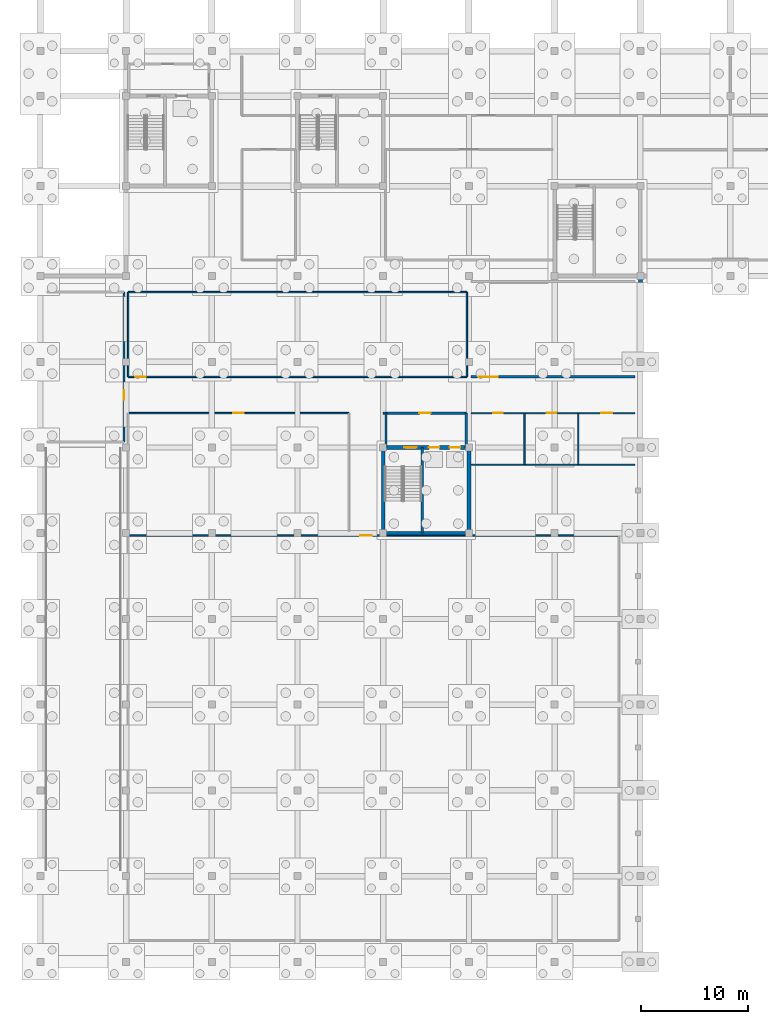
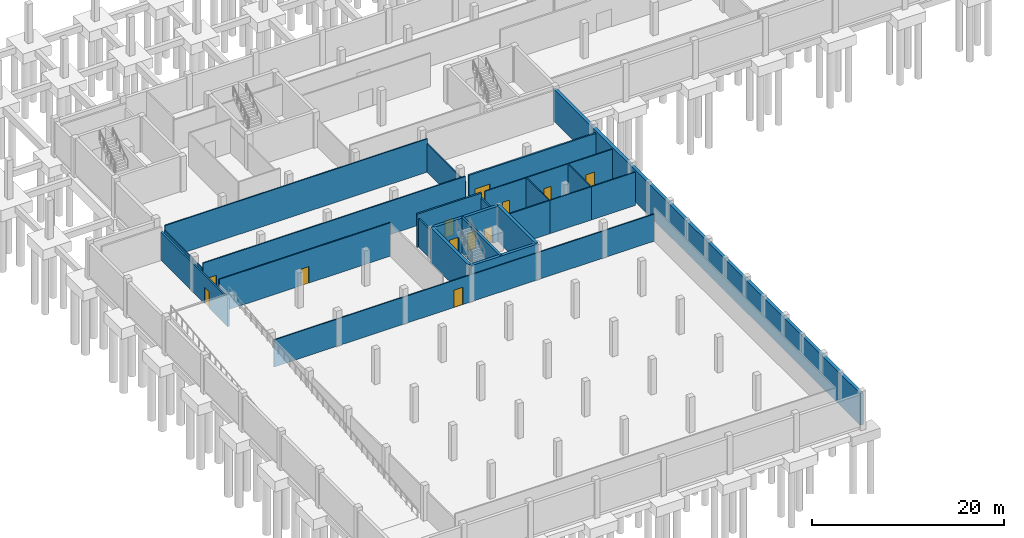
# One storey, part 11 of 22: 25 walls, 12 doors, 12 openings.
"""IFC4 building model written with IfcOpenShell, lengths in metres."""

from ifc_helpers import new_model, si_unit, direction, frame, frame_2d, origin, place, context, subcontext, project, spatial, rectangle, extrude, material, layer, layer_set, type_object, element, fill, save


model = new_model("IFC4")

# Units and contexts
model_context = context("Model", 3, precision=1e-05, world=origin(), true_north=direction((0.0, 1.0)))
body_context = subcontext(model_context, "Body", "Model", "MODEL_VIEW")
ifc_project = project(units=[si_unit("LENGTHUNIT", "METRE"), si_unit("AREAUNIT", "SQUARE_METRE"), si_unit("VOLUMEUNIT", "CUBIC_METRE"), si_unit("PLANEANGLEUNIT", "RADIAN"), si_unit("MASSUNIT", "GRAM", prefix="KILO")], contexts=[model_context])

# Site, building, storey
site_placement = place(None, origin())
site = spatial("IfcSite", under=ifc_project, at=site_placement, CompositionType="ELEMENT")
building_placement = place(site_placement, origin())
building = spatial("IfcBuilding", under=site, at=building_placement, Name="Vharandega Faculty of Natural Sciences", CompositionType="ELEMENT")
storey_placement = place(building_placement, frame((0.0, 0.0, -4.5)))
storey = spatial("IfcBuildingStorey", under=building, at=storey_placement, Name="B01", CompositionType="ELEMENT", Elevation=-4.5)

# Walls
ifc_material_1 = material(Name="Concrete C35/45", Category="concrete")
ifc_layer_1 = layer(ifc_material_1, 0.3798828125, Name="Concrete C35/45")
ifc_layer_set_1 = layer_set([ifc_layer_1], Name="Concrete C35/45")
wall_type_1 = type_object("IfcWallType", Name="Basement Retaining Wall 380", PredefinedType="USERDEFINED", material=ifc_layer_set_1)
wall_1_placement = place(storey_placement, frame((56.0, 64.0, 0.0), z_axis=(0.0, 0.0, 1.0), x_axis=(0.0, -1.0, 0.0)))
element("IfcWall", 1, at=wall_1_placement, inside=storey, type_object=wall_type_1, Name="Exterior Wall EW-B01-EP", ObjectType="RETAINING WALL", PredefinedType="USERDEFINED", context=body_context, shape_type="SweptSolid", body=[
    extrude(rectangle(XDim=64.0, YDim=0.3798828125, at=frame_2d((32.0, 0.0))), origin(), (0.0, 0.0, 1.0), 4.050048828125),
])
ifc_material_2 = material(Name="Concrete C40/50", Category="concrete")
ifc_layer_2 = layer(ifc_material_2, 0.35009765625, Name="Concrete C40/50")
ifc_layer_set_2 = layer_set([ifc_layer_2], Name="Concrete C40/50")
wall_type_2 = type_object("IfcWallType", Name="Core Shear Wall 350", PredefinedType="SHEAR", material=ifc_layer_set_2)
for number, where, z_axis, x_axis, name in (
    (2, (32.0, 40.0, 0.0), (0.0, 0.0, 1.0), (1.0, 0.0, 0.0), "Interior Wall CW-C3-B01-S"),
    (3, (32.0, 40.0, 0.0), (0.0, 0.0, 1.0), (0.0, 1.0, 0.0), "Interior Wall CW-C3-B01-W"),
    (4, (40.0, 40.0, 0.0), (0.0, 0.0, 1.0), (0.0, 1.0, 0.0), "Interior Wall CW-C3-B01-E"),
):
    element("IfcWall", number, at=place(storey_placement, frame(where, z_axis=z_axis, x_axis=x_axis)), inside=storey, type_object=wall_type_2, Name=name, PredefinedType="SHEAR", context=body_context, shape_type="SweptSolid", body=[
        extrude(rectangle(XDim=8.0, YDim=0.35009765625, at=frame_2d((4.0, 0.0))), origin(), (0.0, 0.0, 1.0), 4.5),
    ])

# Wall, openings, doors
wall_2_placement = place(storey_placement, frame((32.0, 48.0, 0.0), z_axis=(0.0, 0.0, 1.0), x_axis=(1.0, 0.0, 0.0)))
wall_2 = element("IfcWall", 5, at=wall_2_placement, inside=storey, type_object=wall_type_2, Name="Interior Wall CW-C3-B01-N", PredefinedType="SHEAR", context=body_context, shape_type="SweptSolid", body=[
    extrude(rectangle(XDim=8.0, YDim=0.35009765625, at=frame_2d((4.0, 0.0))), origin(), (0.0, 0.0, 1.0), 4.5),
])
opening_1_placement = place(wall_2_placement, frame((1.97998046875, 0.0, 0.0)))
opening_1 = element("IfcOpeningElement", 6, at=opening_1_placement, cuts=wall_2, Name="Opening FD1", PredefinedType="OPENING", context=body_context, shape_type="SweptSolid", body=[
    extrude(rectangle(XDim=1.14990234375, YDim=2.199951171875, at=frame_2d((0.574951171875, 1.10009765625))), frame((0.0, 0.18505859375, 0.0), z_axis=(0.0, -1.0, 0.0), x_axis=(1.0, 0.0, 0.0)), (0.0, 0.0, 1.0), 0.3701171875),
])
opening_2_placement = place(wall_2_placement, frame((4.25, 0.0, 0.0)))
opening_2 = element("IfcOpeningElement", 7, at=opening_2_placement, cuts=wall_2, Name="Opening LD-LP3-B01", PredefinedType="OPENING", context=body_context, shape_type="SweptSolid", body=[
    extrude(rectangle(XDim=1.0, YDim=2.14990234375, at=frame_2d((0.5, 1.074951171875))), frame((0.0, 0.18505859375, 0.0), z_axis=(0.0, -1.0, 0.0), x_axis=(1.0, 0.0, 0.0)), (0.0, 0.0, 1.0), 0.3701171875),
])
opening_3_placement = place(wall_2_placement, frame((6.199951171875, 0.0, 0.0)))
opening_3 = element("IfcOpeningElement", 8, at=opening_3_placement, cuts=wall_2, Name="Opening LD-LP4-B01", PredefinedType="OPENING", context=body_context, shape_type="SweptSolid", body=[
    extrude(rectangle(XDim=1.0, YDim=2.14990234375, at=frame_2d((0.5, 1.074951171875))), frame((0.0, 0.18505859375, 0.0), z_axis=(0.0, -1.0, 0.0), x_axis=(1.0, 0.0, 0.0)), (0.0, 0.0, 1.0), 0.3701171875),
])
ifc_material_3 = material(Name="Solid-core hardwood timber fire door", Category="wood")
door_type_1 = type_object("IfcDoorType", Name="FD1-STAIR-1150x2200", OperationType="NOTDEFINED", PredefinedType="DOOR", material=ifc_material_3)
door_1_placement = place(opening_1_placement, origin())
door_1 = element("IfcDoor", 9, at=door_1_placement, inside=storey, type_object=door_type_1, Name="Stair ST3 Fire Door FD1", OperationType="SINGLE_SWING_LEFT", OverallHeight=2.199951171875, OverallWidth=1.14990234375, PredefinedType="DOOR", context=body_context, shape_type="SweptSolid", body=[
    extrude(rectangle(XDim=1.14990234375, YDim=2.199951171875, at=frame_2d((0.574951171875, 1.10009765625))), frame((0.0, 0.02490234375, 0.0), z_axis=(0.0, -1.0, 0.0), x_axis=(1.0, 0.0, 0.0)), (0.0, 0.0, 1.0), 0.050048828125),
])
fill(opening_1, door_1)
ifc_material_4 = material(Name="Brushed stainless steel sliding landing door", Category="steel")
door_type_2 = type_object("IfcDoorType", Name="LD2-PAXLIFT-SLIDING-1000x2150", OperationType="DOUBLE_DOOR_SLIDING", PredefinedType="DOOR", material=ifc_material_4)
door_2_placement = place(opening_2_placement, origin())
door_2 = element("IfcDoor", 10, at=door_2_placement, inside=storey, type_object=door_type_2, Name="Lift Landing Door LD-LP3-B01", OperationType="DOUBLE_DOOR_SLIDING", OverallHeight=2.14990234375, OverallWidth=1.0, PredefinedType="DOOR", context=body_context, shape_type="SweptSolid", body=[
    extrude(rectangle(XDim=1.0, YDim=2.14990234375, at=frame_2d((0.5, 1.074951171875))), frame((0.0, 0.02490234375, 0.0), z_axis=(0.0, -1.0, 0.0), x_axis=(1.0, 0.0, 0.0)), (0.0, 0.0, 1.0), 0.050048828125),
])
fill(opening_2, door_2)
door_3_placement = place(opening_3_placement, origin())
door_3 = element("IfcDoor", 11, at=door_3_placement, inside=storey, type_object=door_type_2, Name="Lift Landing Door LD-LP4-B01", OperationType="DOUBLE_DOOR_SLIDING", OverallHeight=2.14990234375, OverallWidth=1.0, PredefinedType="DOOR", context=body_context, shape_type="SweptSolid", body=[
    extrude(rectangle(XDim=1.0, YDim=2.14990234375, at=frame_2d((0.5, 1.074951171875))), frame((0.0, 0.02490234375, 0.0), z_axis=(0.0, -1.0, 0.0), x_axis=(1.0, 0.0, 0.0)), (0.0, 0.0, 1.0), 0.050048828125),
])
fill(opening_3, door_3)

# Wall, opening, door
ifc_material_5 = material(Name="Concrete C40/50", Category="concrete")
ifc_layer_3 = layer(ifc_material_5, 0.199951171875, Name="Concrete C40/50")
ifc_layer_set_3 = layer_set([ifc_layer_3], Name="Concrete C40/50")
wall_type_3 = type_object("IfcWallType", Name="Firefighting Lobby Wall 200", PredefinedType="PARTITIONING", material=ifc_layer_set_3)
wall_3_placement = place(storey_placement, frame((32.0, 51.199951171875, 0.0), z_axis=(0.0, 0.0, 1.0), x_axis=(1.0, 0.0, 0.0)))
wall_3 = element("IfcWall", 12, at=wall_3_placement, inside=storey, type_object=wall_type_3, Name="Interior Wall PW-LL-C3-B01-N", PredefinedType="PARTITIONING", context=body_context, shape_type="SweptSolid", body=[
    extrude(rectangle(XDim=7.75, YDim=0.199951171875, at=frame_2d((3.875, 0.0))), origin(), (0.0, 0.0, 1.0), 4.219970703125),
])
opening_4_placement = place(wall_3_placement, frame((3.375, 0.0, 0.0)))
opening_4 = element("IfcOpeningElement", 13, at=opening_4_placement, cuts=wall_3, Name="Opening FD4", PredefinedType="OPENING", context=body_context, shape_type="SweptSolid", body=[
    extrude(rectangle(XDim=1.050048828125, YDim=2.14990234375, at=frame_2d((0.52490234375, 1.074951171875))), frame((0.0, 0.10986328125, 0.0), z_axis=(0.0, -1.0, 0.0), x_axis=(1.0, 0.0, 0.0)), (0.0, 0.0, 1.0), 0.219970703125),
])
ifc_material_6 = material(Name="Solid-core hardwood timber fire door", Category="wood")
door_type_3 = type_object("IfcDoorType", Name="FD4-LAB-SGL-1050x2150", OperationType="NOTDEFINED", PredefinedType="DOOR", material=ifc_material_6)
door_4_placement = place(opening_4_placement, origin())
door_4 = element("IfcDoor", 14, at=door_4_placement, inside=storey, type_object=door_type_3, Name="Lift Lobby C3 Door FD4", OperationType="SINGLE_SWING_RIGHT", OverallHeight=2.14990234375, OverallWidth=1.050048828125, PredefinedType="DOOR", context=body_context, shape_type="SweptSolid", body=[
    extrude(rectangle(XDim=1.050048828125, YDim=2.14990234375, at=frame_2d((0.52490234375, 1.074951171875))), frame((0.0, 0.02490234375, 0.0), z_axis=(0.0, -1.0, 0.0), x_axis=(1.0, 0.0, 0.0)), (0.0, 0.0, 1.0), 0.050048828125),
])
fill(opening_4, door_4)

# Walls
for number, where, z_axis, x_axis, name in (
    (15, (39.75, 48.0, 0.0), (0.0, 0.0, 1.0), (0.0, 1.0, 0.0), "Interior Wall PW-LL-C3-B01-E"),
    (16, (32.25, 48.0, 0.0), (0.0, 0.0, 1.0), (0.0, 1.0, 0.0), "Interior Wall PW-LL-C3-B01-W"),
):
    element("IfcWall", number, at=place(storey_placement, frame(where, z_axis=z_axis, x_axis=x_axis)), inside=storey, type_object=wall_type_3, Name=name, PredefinedType="PARTITIONING", context=body_context, shape_type="SweptSolid", body=[
        extrude(rectangle(XDim=3.199951171875, YDim=0.199951171875, at=frame_2d((1.60009765625, 0.0))), origin(), (0.0, 0.0, 1.0), 3.60009765625),
    ])

# Wall, opening, door
wall_4_placement = place(storey_placement, frame((7.800048828125, 48.5, 0.0), z_axis=(0.0, 0.0, 1.0), x_axis=(0.0, 1.0, 0.0)))
wall_4 = element("IfcWall", 17, at=wall_4_placement, inside=storey, type_object=wall_type_3, Name="Interior Wall PW-B01-R04E", PredefinedType="PARTITIONING", context=body_context, shape_type="SweptSolid", body=[
    extrude(rectangle(XDim=14.0, YDim=0.199951171875, at=frame_2d((7.0, 0.0))), origin(), (0.0, 0.0, 1.0), 3.60009765625),
])
opening_5_placement = place(wall_4_placement, frame((3.949951171875, 0.0, 0.0)))
opening_5 = element("IfcOpeningElement", 18, at=opening_5_placement, cuts=wall_4, Name="Opening FD6", PredefinedType="OPENING", context=body_context, shape_type="SweptSolid", body=[
    extrude(rectangle(XDim=0.89990234375, YDim=2.10009765625, at=frame_2d((0.449951171875, 1.050048828125))), frame((0.0, 0.10986328125, 0.0), z_axis=(0.0, -1.0, 0.0), x_axis=(1.0, 0.0, 0.0)), (0.0, 0.0, 1.0), 0.219970703125),
])
ifc_material_7 = material(Name="Solid-core hardwood timber fire door", Category="wood")
door_type_4 = type_object("IfcDoorType", Name="FD6-RISER-0900x2100", OperationType="NOTDEFINED", PredefinedType="DOOR", material=ifc_material_7)
door_5_placement = place(opening_5_placement, origin())
door_5 = element("IfcDoor", 19, at=door_5_placement, inside=storey, type_object=door_type_4, Name="Sheltered Cycle Store Door FD6", OperationType="SINGLE_SWING_LEFT", OverallHeight=2.10009765625, OverallWidth=0.89990234375, PredefinedType="DOOR", context=body_context, shape_type="SweptSolid", body=[
    extrude(rectangle(XDim=0.89990234375, YDim=2.10009765625, at=frame_2d((0.449951171875, 1.050048828125))), frame((0.0, 0.02490234375, 0.0), z_axis=(0.0, -1.0, 0.0), x_axis=(1.0, 0.0, 0.0)), (0.0, 0.0, 1.0), 0.050048828125),
])
fill(opening_5, door_5)

wall_5_placement = place(storey_placement, frame((40.199951171875, 54.60009765625, 0.0), z_axis=(0.0, 0.0, 1.0), x_axis=(1.0, 0.0, 0.0)))
wall_5 = element("IfcWall", 20, at=wall_5_placement, inside=storey, type_object=wall_type_3, Name="Interior Wall PW-B01-R08S", PredefinedType="PARTITIONING", context=body_context, shape_type="SweptSolid", body=[
    extrude(rectangle(XDim=15.300048828125, YDim=0.199951171875, at=frame_2d((7.64990234375, 0.0))), origin(), (0.0, 0.0, 1.0), 4.239990234375),
])
opening_6_placement = place(wall_5_placement, frame((0.6982421875, 0.0, 0.0)))
opening_6 = element("IfcOpeningElement", 21, at=opening_6_placement, cuts=wall_5, Name="Opening FD5", PredefinedType="OPENING", context=body_context, shape_type="SweptSolid", body=[
    extrude(rectangle(XDim=1.800048828125, YDim=2.25, at=frame_2d((0.89990234375, 1.125))), frame((0.0, 0.10986328125, 0.0), z_axis=(0.0, -1.0, 0.0), x_axis=(1.0, 0.0, 0.0)), (0.0, 0.0, 1.0), 0.219970703125),
])
ifc_material_8 = material(Name="Solid-core hardwood timber fire door", Category="wood")
door_type_5 = type_object("IfcDoorType", Name="FD5-PLANT-DBL-1800x2250", OperationType="DOUBLE_DOOR_SINGLE_SWING", PredefinedType="DOOR", material=ifc_material_8)
door_6_placement = place(opening_6_placement, origin())
door_6 = element("IfcDoor", 22, at=door_6_placement, inside=storey, type_object=door_type_5, Name="Indoor Electrical Substation Door FD5", OperationType="DOUBLE_DOOR_SINGLE_SWING", OverallHeight=2.25, OverallWidth=1.800048828125, PredefinedType="DOOR", context=body_context, shape_type="SweptSolid", body=[
    extrude(rectangle(XDim=1.800048828125, YDim=2.25, at=frame_2d((0.89990234375, 1.125))), frame((0.0, 0.02490234375, 0.0), z_axis=(0.0, -1.0, 0.0), x_axis=(1.0, 0.0, 0.0)), (0.0, 0.0, 1.0), 0.050048828125),
])
fill(opening_6, door_6)

# Wall
ifc_material_9 = material(Name="Concrete C40/50", Category="concrete")
ifc_layer_4 = layer(ifc_material_9, 0.260009765625, Name="Concrete C40/50")
ifc_layer_set_4 = layer_set([ifc_layer_4], Name="Concrete C40/50")
wall_type_4 = type_object("IfcWallType", Name="Lift Shaft Shear Wall 260", PredefinedType="SHEAR", material=ifc_layer_set_4)
wall_6_placement = place(storey_placement, frame((35.639892578125, 40.0, 0.0), z_axis=(0.0, 0.0, 1.0), x_axis=(0.0, 1.0, 0.0)))
element("IfcWall", 23, at=wall_6_placement, inside=storey, type_object=wall_type_4, Name="Interior Wall CW-C3-B01-DIV", PredefinedType="SHEAR", context=body_context, shape_type="SweptSolid", body=[
    extrude(rectangle(XDim=8.0, YDim=0.260009765625, at=frame_2d((4.0, 0.0))), origin(), (0.0, 0.0, 1.0), 4.5),
])

# Wall, opening, door
ifc_material_10 = material(Name="Gypsum acoustic partition", Category="gypsum")
ifc_layer_5 = layer(ifc_material_10, 0.139892578125, Name="Gypsum acoustic partition")
ifc_layer_set_5 = layer_set([ifc_layer_5], Name="Gypsum acoustic partition")
wall_type_5 = type_object("IfcWallType", Name="Room Partition Wall 140", PredefinedType="PARTITIONING", material=ifc_layer_set_5)
wall_7_placement = place(storey_placement, frame((8.199951171875, 39.800048828125, 0.0), z_axis=(0.0, 0.0, 1.0), x_axis=(1.0, 0.0, 0.0)))
wall_7 = element("IfcWall", 24, at=wall_7_placement, inside=storey, type_object=wall_type_5, Name="Interior Wall PW-B01-R01N", PredefinedType="PARTITIONING", context=body_context, shape_type="SweptSolid", body=[
    extrude(rectangle(XDim=45.800048828125, YDim=0.139892578125, at=frame_2d((22.89990234375, 0.0))), origin(), (0.0, 0.0, 1.0), 3.449951171875),
])
opening_7_placement = place(wall_7_placement, frame((21.659912109375, 0.0, 0.0)))
opening_7 = element("IfcOpeningElement", 25, at=opening_7_placement, cuts=wall_7, Name="Opening D0213", PredefinedType="OPENING", context=body_context, shape_type="SweptSolid", body=[
    extrude(rectangle(XDim=1.080078125, YDim=2.199951171875, at=frame_2d((0.5400390625, 1.10009765625))), frame((0.0, 0.080078125, 0.0), z_axis=(0.0, -1.0, 0.0), x_axis=(1.0, 0.0, 0.0)), (0.0, 0.0, 1.0), 0.159912109375),
])
ifc_material_11 = material(Name="Solid-core hardwood timber fire door", Category="wood")
door_type_6 = type_object("IfcDoorType", Name="ID03-SEMINAR-1080x2200", OperationType="NOTDEFINED", PredefinedType="DOOR", material=ifc_material_11)
door_7_placement = place(opening_7_placement, origin())
door_7 = element("IfcDoor", 26, at=door_7_placement, inside=storey, type_object=door_type_6, Name="Basement Car Park Loop South Door D0213", OperationType="SINGLE_SWING_RIGHT", OverallHeight=2.199951171875, OverallWidth=1.080078125, PredefinedType="DOOR", context=body_context, shape_type="SweptSolid", body=[
    extrude(rectangle(XDim=1.080078125, YDim=2.199951171875, at=frame_2d((0.5400390625, 1.10009765625))), frame((0.0, 0.02490234375, 0.0), z_axis=(0.0, -1.0, 0.0), x_axis=(1.0, 0.0, 0.0)), (0.0, 0.0, 1.0), 0.050048828125),
])
fill(opening_7, door_7)

wall_8_placement = place(storey_placement, frame((8.199951171875, 51.199951171875, 0.0), z_axis=(0.0, 0.0, 1.0), x_axis=(1.0, 0.0, 0.0)))
wall_8 = element("IfcWall", 27, at=wall_8_placement, inside=storey, type_object=wall_type_5, Name="Interior Wall PW-B01-R02N", PredefinedType="PARTITIONING", context=body_context, shape_type="SweptSolid", body=[
    extrude(rectangle(XDim=20.60009765625, YDim=0.139892578125, at=frame_2d((10.300048828125, 0.0))), origin(), (0.0, 0.0, 1.0), 4.239990234375),
])
opening_8_placement = place(wall_8_placement, frame((9.824951171875, 0.0, 0.0)))
opening_8 = element("IfcOpeningElement", 28, at=opening_8_placement, cuts=wall_8, Name="Opening D0214", PredefinedType="OPENING", context=body_context, shape_type="SweptSolid", body=[
    extrude(rectangle(XDim=0.949951171875, YDim=2.10009765625, at=frame_2d((0.47509765625, 1.050048828125))), frame((0.0, 0.080078125, 0.0), z_axis=(0.0, -1.0, 0.0), x_axis=(1.0, 0.0, 0.0)), (0.0, 0.0, 1.0), 0.159912109375),
])
ifc_material_12 = material(Name="Solid-core hardwood timber fire door", Category="wood")
door_type_7 = type_object("IfcDoorType", Name="ID04-OFFICE-0950x2100", OperationType="NOTDEFINED", PredefinedType="DOOR", material=ifc_material_12)
door_8_placement = place(opening_8_placement, origin())
door_8 = element("IfcDoor", 29, at=door_8_placement, inside=storey, type_object=door_type_7, Name="Basement Car Park Loop North-West Door D0214", OperationType="SINGLE_SWING_LEFT", OverallHeight=2.10009765625, OverallWidth=0.949951171875, PredefinedType="DOOR", context=body_context, shape_type="SweptSolid", body=[
    extrude(rectangle(XDim=0.949951171875, YDim=2.10009765625, at=frame_2d((0.47509765625, 1.050048828125))), frame((0.0, 0.02490234375, 0.0), z_axis=(0.0, -1.0, 0.0), x_axis=(1.0, 0.0, 0.0)), (0.0, 0.0, 1.0), 0.050048828125),
])
fill(opening_8, door_8)

wall_9_placement = place(storey_placement, frame((8.199951171875, 54.60009765625, 0.0), z_axis=(0.0, 0.0, 1.0), x_axis=(1.0, 0.0, 0.0)))
wall_9 = element("IfcWall", 30, at=wall_9_placement, inside=storey, type_object=wall_type_5, Name="Interior Wall PW-B01-R03S", PredefinedType="PARTITIONING", context=body_context, shape_type="SweptSolid", body=[
    extrude(rectangle(XDim=31.60009765625, YDim=0.139892578125, at=frame_2d((15.800048828125, 0.0))), origin(), (0.0, 0.0, 1.0), 4.239990234375),
])
opening_9_placement = place(wall_9_placement, frame((0.6982421875, 0.0, 0.0)))
opening_9 = element("IfcOpeningElement", 31, at=opening_9_placement, cuts=wall_9, Name="Opening D0215", PredefinedType="OPENING", context=body_context, shape_type="SweptSolid", body=[
    extrude(rectangle(XDim=0.919921875, YDim=2.14990234375, at=frame_2d((0.4599609375, 1.074951171875))), frame((0.0, 0.080078125, 0.0), z_axis=(0.0, -1.0, 0.0), x_axis=(1.0, 0.0, 0.0)), (0.0, 0.0, 1.0), 0.159912109375),
])
ifc_material_13 = material(Name="Solid-core hardwood timber fire door", Category="wood")
door_type_8 = type_object("IfcDoorType", Name="ID05-OFFICE-0920x2150", OperationType="NOTDEFINED", PredefinedType="DOOR", material=ifc_material_13)
door_9_placement = place(opening_9_placement, origin())
door_9 = element("IfcDoor", 32, at=door_9_placement, inside=storey, type_object=door_type_8, Name="Basement Car Park Loop North Door D0215", OperationType="SINGLE_SWING_RIGHT", OverallHeight=2.14990234375, OverallWidth=0.919921875, PredefinedType="DOOR", context=body_context, shape_type="SweptSolid", body=[
    extrude(rectangle(XDim=0.919921875, YDim=2.14990234375, at=frame_2d((0.4599609375, 1.074951171875))), frame((0.0, 0.02490234375, 0.0), z_axis=(0.0, -1.0, 0.0), x_axis=(1.0, 0.0, 0.0)), (0.0, 0.0, 1.0), 0.050048828125),
])
fill(opening_9, door_9)

# Walls
wall_10_placement = place(storey_placement, frame((8.199951171875, 62.5, 0.0), z_axis=(0.0, 0.0, 1.0), x_axis=(1.0, 0.0, 0.0)))
element("IfcWall", 33, at=wall_10_placement, inside=storey, type_object=wall_type_5, Name="Interior Wall PW-B01-R03N", PredefinedType="PARTITIONING", context=body_context, shape_type="SweptSolid", body=[
    extrude(rectangle(XDim=31.60009765625, YDim=0.139892578125, at=frame_2d((15.800048828125, 0.0))), origin(), (0.0, 0.0, 1.0), 4.239990234375),
])
for number, where, z_axis, x_axis, name in (
    (34, (8.199951171875, 54.60009765625, 0.0), (0.0, 0.0, 1.0), (0.0, 1.0, 0.0), "Interior Wall PW-B01-R03W"),
    (35, (39.800048828125, 54.60009765625, 0.0), (0.0, 0.0, 1.0), (0.0, 1.0, 0.0), "Interior Wall PW-B01-R03E"),
):
    element("IfcWall", number, at=place(storey_placement, frame(where, z_axis=z_axis, x_axis=x_axis)), inside=storey, type_object=wall_type_5, Name=name, PredefinedType="PARTITIONING", context=body_context, shape_type="SweptSolid", body=[
        extrude(rectangle(XDim=7.89990234375, YDim=0.139892578125, at=frame_2d((3.949951171875, 0.0))), origin(), (0.0, 0.0, 1.0), 3.60009765625),
    ])
ifc_material_14 = material(Name="Moisture-resistant gypsum partition", Category="gypsum")
ifc_layer_6 = layer(ifc_material_14, 0.1201171875, Name="Moisture-resistant gypsum partition")
ifc_layer_set_6 = layer_set([ifc_layer_6], Name="Moisture-resistant gypsum partition")
wall_type_6 = type_object("IfcWallType", Name="Sanitary Wet Wall 120", PredefinedType="PARTITIONING", material=ifc_layer_set_6)
wall_11_placement = place(storey_placement, frame((40.199951171875, 46.39990234375, 0.0), z_axis=(0.0, 0.0, 1.0), x_axis=(1.0, 0.0, 0.0)))
element("IfcWall", 36, at=wall_11_placement, inside=storey, type_object=wall_type_6, Name="Interior Wall PW-B01-R05S", PredefinedType="PARTITIONING", context=body_context, shape_type="SweptSolid", body=[
    extrude(rectangle(XDim=5.0, YDim=0.1201171875, at=frame_2d((2.5, 0.0))), origin(), (0.0, 0.0, 1.0), 4.239990234375),
])

# Wall, opening, door
wall_12_placement = place(storey_placement, frame((40.199951171875, 51.199951171875, 0.0), z_axis=(0.0, 0.0, 1.0), x_axis=(1.0, 0.0, 0.0)))
wall_12 = element("IfcWall", 37, at=wall_12_placement, inside=storey, type_object=wall_type_6, Name="Interior Wall PW-B01-R05N", PredefinedType="PARTITIONING", context=body_context, shape_type="SweptSolid", body=[
    extrude(rectangle(XDim=5.0, YDim=0.1201171875, at=frame_2d((2.5, 0.0))), origin(), (0.0, 0.0, 1.0), 4.239990234375),
])
opening_10_placement = place(wall_12_placement, frame((2.06005859375, 0.0, 0.0)))
opening_10 = element("IfcOpeningElement", 38, at=opening_10_placement, cuts=wall_12, Name="Opening D0217", PredefinedType="OPENING", context=body_context, shape_type="SweptSolid", body=[
    extrude(rectangle(XDim=0.8798828125, YDim=2.10009765625, at=frame_2d((0.43994140625, 1.050048828125))), frame((0.0, 0.070068359375, 0.0), z_axis=(0.0, -1.0, 0.0), x_axis=(1.0, 0.0, 0.0)), (0.0, 0.0, 1.0), 0.14013671875),
])
ifc_material_15 = material(Name="Solid-core hardwood timber fire door", Category="wood")
door_type_9 = type_object("IfcDoorType", Name="ID06-WC-0880x2100", OperationType="NOTDEFINED", PredefinedType="DOOR", material=ifc_material_15)
door_10_placement = place(opening_10_placement, origin())
door_10 = element("IfcDoor", 39, at=door_10_placement, inside=storey, type_object=door_type_9, Name="Male Washroom Door D0217", OperationType="SINGLE_SWING_RIGHT", OverallHeight=2.10009765625, OverallWidth=0.8798828125, PredefinedType="DOOR", context=body_context, shape_type="SweptSolid", body=[
    extrude(rectangle(XDim=0.8798828125, YDim=2.10009765625, at=frame_2d((0.43994140625, 1.050048828125))), frame((0.0, 0.02490234375, 0.0), z_axis=(0.0, -1.0, 0.0), x_axis=(1.0, 0.0, 0.0)), (0.0, 0.0, 1.0), 0.050048828125),
])
fill(opening_10, door_10)

# Walls
wall_13_placement = place(storey_placement, frame((45.199951171875, 46.39990234375, 0.0), z_axis=(0.0, 0.0, 1.0), x_axis=(0.0, 1.0, 0.0)))
element("IfcWall", 40, at=wall_13_placement, inside=storey, type_object=wall_type_6, Name="Interior Wall PW-B01-R05E", PredefinedType="PARTITIONING", context=body_context, shape_type="SweptSolid", body=[
    extrude(rectangle(XDim=4.800048828125, YDim=0.1201171875, at=frame_2d((2.39990234375, 0.0))), origin(), (0.0, 0.0, 1.0), 4.239990234375),
])
wall_14_placement = place(storey_placement, frame((45.199951171875, 46.39990234375, 0.0), z_axis=(0.0, 0.0, 1.0), x_axis=(1.0, 0.0, 0.0)))
element("IfcWall", 41, at=wall_14_placement, inside=storey, type_object=wall_type_6, Name="Interior Wall PW-B01-R06S", PredefinedType="PARTITIONING", context=body_context, shape_type="SweptSolid", body=[
    extrude(rectangle(XDim=5.0, YDim=0.1201171875, at=frame_2d((2.5, 0.0))), origin(), (0.0, 0.0, 1.0), 4.239990234375),
])

# Wall, opening, door
wall_15_placement = place(storey_placement, frame((45.199951171875, 51.199951171875, 0.0), z_axis=(0.0, 0.0, 1.0), x_axis=(1.0, 0.0, 0.0)))
wall_15 = element("IfcWall", 42, at=wall_15_placement, inside=storey, type_object=wall_type_6, Name="Interior Wall PW-B01-R06N", PredefinedType="PARTITIONING", context=body_context, shape_type="SweptSolid", body=[
    extrude(rectangle(XDim=5.0, YDim=0.1201171875, at=frame_2d((2.5, 0.0))), origin(), (0.0, 0.0, 1.0), 4.239990234375),
])
opening_11_placement = place(wall_15_placement, frame((2.06005859375, 0.0, 0.0)))
opening_11 = element("IfcOpeningElement", 43, at=opening_11_placement, cuts=wall_15, Name="Opening D0218", PredefinedType="OPENING", context=body_context, shape_type="SweptSolid", body=[
    extrude(rectangle(XDim=0.8798828125, YDim=2.10009765625, at=frame_2d((0.43994140625, 1.050048828125))), frame((0.0, 0.070068359375, 0.0), z_axis=(0.0, -1.0, 0.0), x_axis=(1.0, 0.0, 0.0)), (0.0, 0.0, 1.0), 0.14013671875),
])
door_11_placement = place(opening_11_placement, origin())
door_11 = element("IfcDoor", 44, at=door_11_placement, inside=storey, type_object=door_type_9, Name="Female Washroom Door D0218", OperationType="SINGLE_SWING_LEFT", OverallHeight=2.10009765625, OverallWidth=0.8798828125, PredefinedType="DOOR", context=body_context, shape_type="SweptSolid", body=[
    extrude(rectangle(XDim=0.8798828125, YDim=2.10009765625, at=frame_2d((0.43994140625, 1.050048828125))), frame((0.0, 0.02490234375, 0.0), z_axis=(0.0, -1.0, 0.0), x_axis=(1.0, 0.0, 0.0)), (0.0, 0.0, 1.0), 0.050048828125),
])
fill(opening_11, door_11)

# Walls
wall_16_placement = place(storey_placement, frame((50.199951171875, 46.39990234375, 0.0), z_axis=(0.0, 0.0, 1.0), x_axis=(0.0, 1.0, 0.0)))
element("IfcWall", 45, at=wall_16_placement, inside=storey, type_object=wall_type_6, Name="Interior Wall PW-B01-R06E", PredefinedType="PARTITIONING", context=body_context, shape_type="SweptSolid", body=[
    extrude(rectangle(XDim=4.800048828125, YDim=0.1201171875, at=frame_2d((2.39990234375, 0.0))), origin(), (0.0, 0.0, 1.0), 4.239990234375),
])
wall_17_placement = place(storey_placement, frame((50.199951171875, 46.39990234375, 0.0), z_axis=(0.0, 0.0, 1.0), x_axis=(1.0, 0.0, 0.0)))
element("IfcWall", 46, at=wall_17_placement, inside=storey, type_object=wall_type_6, Name="Interior Wall PW-B01-R07S", PredefinedType="PARTITIONING", context=body_context, shape_type="SweptSolid", body=[
    extrude(rectangle(XDim=5.300048828125, YDim=0.1201171875, at=frame_2d((2.64990234375, 0.0))), origin(), (0.0, 0.0, 1.0), 4.239990234375),
])

# Wall, opening, door
wall_18_placement = place(storey_placement, frame((50.199951171875, 51.199951171875, 0.0), z_axis=(0.0, 0.0, 1.0), x_axis=(1.0, 0.0, 0.0)))
wall_18 = element("IfcWall", 47, at=wall_18_placement, inside=storey, type_object=wall_type_6, Name="Interior Wall PW-B01-R07N", PredefinedType="PARTITIONING", context=body_context, shape_type="SweptSolid", body=[
    extrude(rectangle(XDim=5.300048828125, YDim=0.1201171875, at=frame_2d((2.64990234375, 0.0))), origin(), (0.0, 0.0, 1.0), 4.239990234375),
])
opening_12_placement = place(wall_18_placement, frame((2.139892578125, 0.0, 0.0)))
opening_12 = element("IfcOpeningElement", 48, at=opening_12_placement, cuts=wall_18, Name="Opening D0219", PredefinedType="OPENING", context=body_context, shape_type="SweptSolid", body=[
    extrude(rectangle(XDim=1.02001953125, YDim=2.10009765625, at=frame_2d((0.510009765625, 1.050048828125))), frame((0.0, 0.070068359375, 0.0), z_axis=(0.0, -1.0, 0.0), x_axis=(1.0, 0.0, 0.0)), (0.0, 0.0, 1.0), 0.14013671875),
])
ifc_material_16 = material(Name="Solid-core hardwood timber fire door", Category="wood")
door_type_10 = type_object("IfcDoorType", Name="ID07-ACCWC-1020x2100", OperationType="NOTDEFINED", PredefinedType="DOOR", material=ifc_material_16)
door_12_placement = place(opening_12_placement, origin())
door_12 = element("IfcDoor", 49, at=door_12_placement, inside=storey, type_object=door_type_10, Name="Accessible WC Door D0219", OperationType="SINGLE_SWING_RIGHT", OverallHeight=2.10009765625, OverallWidth=1.02001953125, PredefinedType="DOOR", context=body_context, shape_type="SweptSolid", body=[
    extrude(rectangle(XDim=1.02001953125, YDim=2.10009765625, at=frame_2d((0.510009765625, 1.050048828125))), frame((0.0, 0.02490234375, 0.0), z_axis=(0.0, -1.0, 0.0), x_axis=(1.0, 0.0, 0.0)), (0.0, 0.0, 1.0), 0.050048828125),
])
fill(opening_12, door_12)

save(model, "model.ifc")
